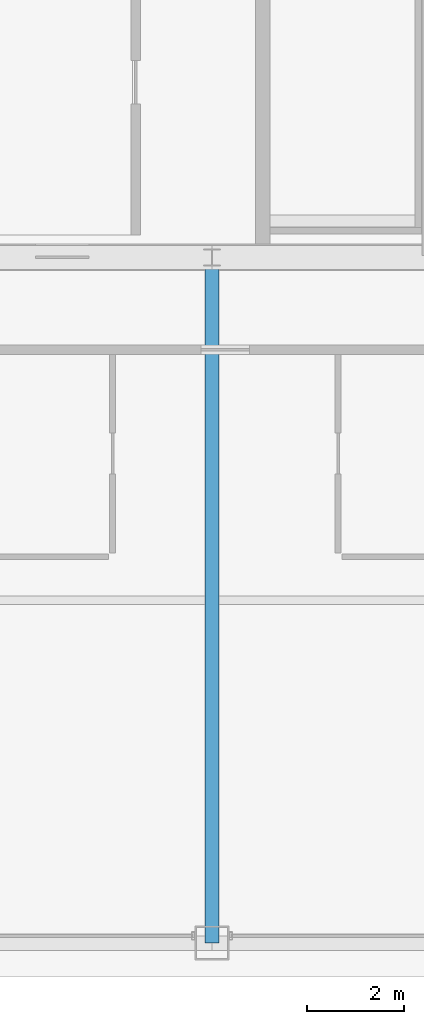
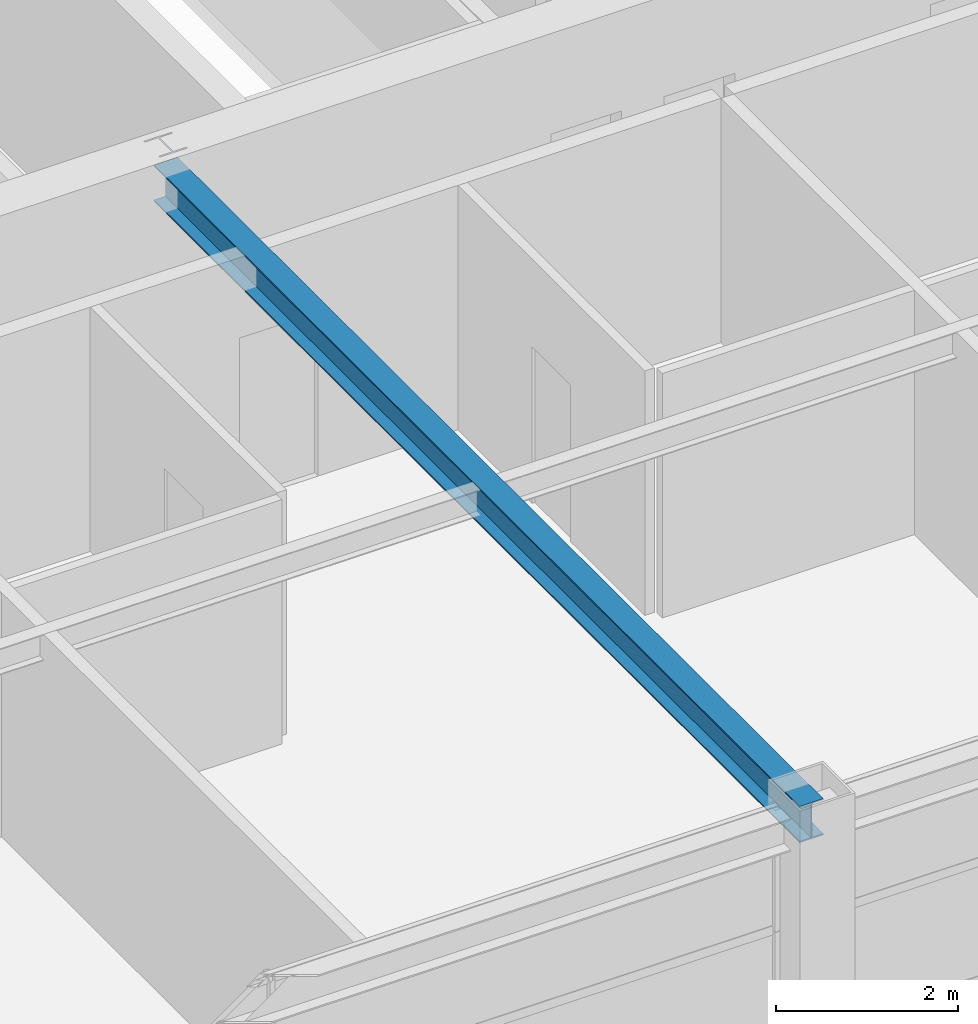
# One storey, part 11 of 37: 1 beam.
"""IFC4 building model written with IfcOpenShell, lengths in metres."""

from ifc_helpers import new_model, si_unit, direction, frame, origin, origin_2d, place, context, subcontext, project, spatial, i_section, extrude, source, transform, mapped, material, material_profile, profile_set, type_object, element, save


model = new_model("IFC4")

# Units and contexts
model_context = context("Model", 3, precision=1e-05, world=origin(), true_north=direction((0.0, 1.0)))
body_context = subcontext(model_context, "Body", "Model", "MODEL_VIEW")
ifc_project = project(units=[si_unit("LENGTHUNIT", "METRE"), si_unit("AREAUNIT", "SQUARE_METRE"), si_unit("VOLUMEUNIT", "CUBIC_METRE"), si_unit("PLANEANGLEUNIT", "RADIAN"), si_unit("MASSUNIT", "GRAM", prefix="KILO"), si_unit("THERMODYNAMICTEMPERATUREUNIT", "KELVIN"), si_unit("POWERUNIT", "WATT")], contexts=[model_context])

# Site, building, storey
site_placement = place(None, origin())
site = spatial("IfcSite", under=ifc_project, at=site_placement, CompositionType="ELEMENT")
building_placement = place(site_placement, origin())
building = spatial("IfcBuilding", under=site, at=building_placement, Name="Yuzanri Waterfront Tower", CompositionType="ELEMENT")
storey_placement = place(building_placement, frame((0.0, 0.0, 268.10009765625)))
storey = spatial("IfcBuildingStorey", under=building, at=storey_placement, Name="L71", CompositionType="ELEMENT", Elevation=268.10009765625)

# Beam
ifc_material = material(Name="Steel Q355B", Category="steel")
ifc_material_profile = material_profile(ifc_material, i_section(OverallWidth=0.300048828125, OverallDepth=0.488037109375, WebThickness=0.010986328125, FlangeThickness=0.01806640625, at=origin_2d()), Name="HM 488x300x11x18")
ifc_profile_set = profile_set([ifc_material_profile], Name="Steel Q355B")
beam_type = type_object("IfcBeamType", Name="Primary Floor Girder Q355B HM 488x300", PredefinedType="BEAM", material=ifc_profile_set)
shared_shape = source(origin(), body_context, "Body", "SweptSolid", [
    extrude(i_section(OverallWidth=0.300048828125, OverallDepth=0.488037109375, WebThickness=0.010986328125, FlangeThickness=0.01806640625, at=origin_2d()), origin(), (0.0, 0.0, 1.0), 14.199951171875),
])
beam_placement = place(storey_placement, frame((37.0, 19.39990234375, 3.035888671875), z_axis=(0.0, -1.0, 0.0), x_axis=(1.0, 0.0, 0.0)))
element("IfcBeam", 1, at=beam_placement, inside=storey, type_object=beam_type, Name="L71 South Grid Girder", PredefinedType="BEAM", context=body_context, shape_type="MappedRepresentation", body=[
    mapped(shared_shape, transform((0.0, 0.0, 0.0), scale=1.0)),
])

save(model, "model.ifc")
